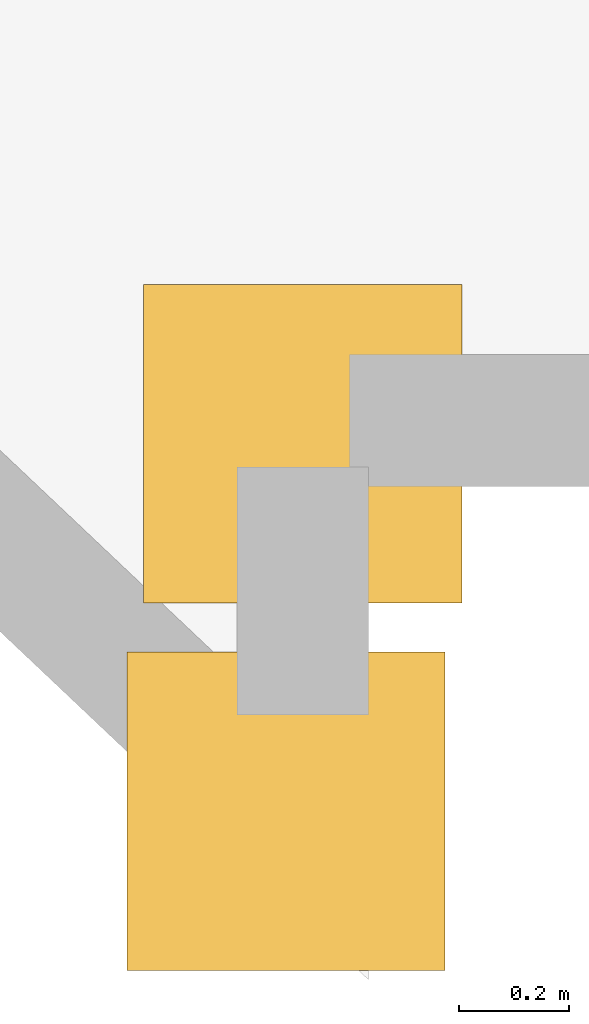
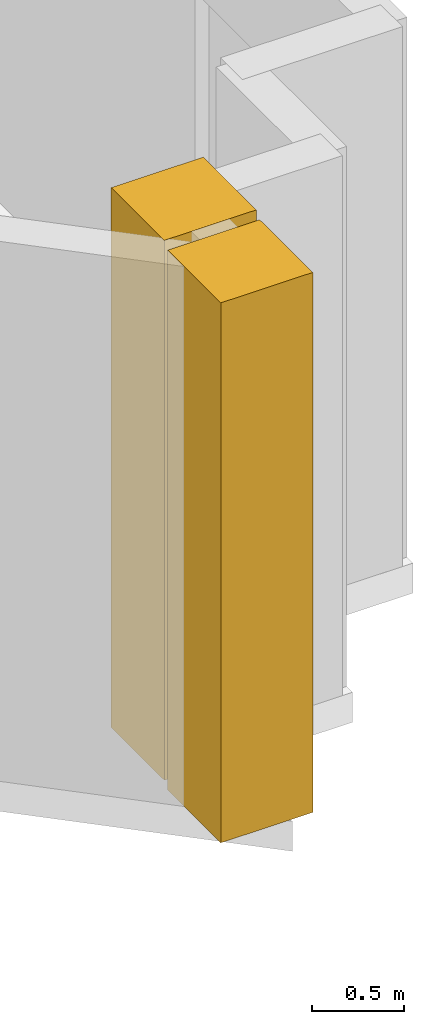
# One storey, part 17 of 17: 2 coverings.
"""IFC4 building model written with IfcOpenShell, lengths in metres."""

from ifc_helpers import new_model, si_unit, direction, frame, origin, origin_2d, place, context, subcontext, project, spatial, rectangle, extrude, material, layer, layer_set, type_object, element, save


model = new_model("IFC4")

# Units and contexts
model_context = context("Model", 3, precision=1e-05, world=origin(), true_north=direction((0.0, 1.0)))
body_context = subcontext(model_context, "Body", "Model", "MODEL_VIEW")
ifc_project = project(units=[si_unit("LENGTHUNIT", "METRE"), si_unit("AREAUNIT", "SQUARE_METRE"), si_unit("VOLUMEUNIT", "CUBIC_METRE"), si_unit("PLANEANGLEUNIT", "RADIAN"), si_unit("MASSUNIT", "GRAM", prefix="KILO")], contexts=[model_context])

# Site, building, storey
site_placement = place(None, origin())
site = spatial("IfcSite", under=ifc_project, at=site_placement, CompositionType="ELEMENT")
building_placement = place(site_placement, origin())
building = spatial("IfcBuilding", under=site, at=building_placement, Name="Haolan Belvedere Tower", CompositionType="ELEMENT")
storey_placement = place(building_placement, frame((0.0, 0.0, 59.0)))
storey = spatial("IfcBuildingStorey", under=building, at=storey_placement, Name="L14", CompositionType="ELEMENT", Elevation=59.0)

# Coverings
ifc_material = material(Name="Pale champagne-silver anodised aluminium rainscreen cladding", Category="aluminium")
ifc_layer = layer(ifc_material, 0.034912109375, Name="Pale champagne-silver anodised aluminium rainscreen cladding")
ifc_layer_set = layer_set([ifc_layer], Name="Pale champagne-silver anodised aluminium rainscreen cladding")
covering_type = type_object("IfcCoveringType", Name="COV-CLAD-35", PredefinedType="CLADDING", material=ifc_layer_set)
for number, where, z_axis, x_axis, name in (
    (1, (73.42919921875, 6.40673828125, 0.0), (0.0, 0.0, 1.0), (1.0, 0.0, 0.0), "L14 pale-metal serrated corner cladding trim 5"),
    (2, (73.4599609375, 7.076416015625, 0.0), (0.0, 0.0, 1.0), (1.0, 0.0, 0.0), "L14 pale-metal serrated corner cladding trim 6"),
):
    element("IfcCovering", number, at=place(storey_placement, frame(where, z_axis=z_axis, x_axis=x_axis)), inside=storey, type_object=covering_type, Name=name, PredefinedType="CLADDING", context=body_context, shape_type="SweptSolid", body=[
        extrude(rectangle(XDim=0.580078125, YDim=0.580078125, at=origin_2d()), origin(), (0.0, 0.0, 1.0), 3.60009765625),
    ])

save(model, "model.ifc")
